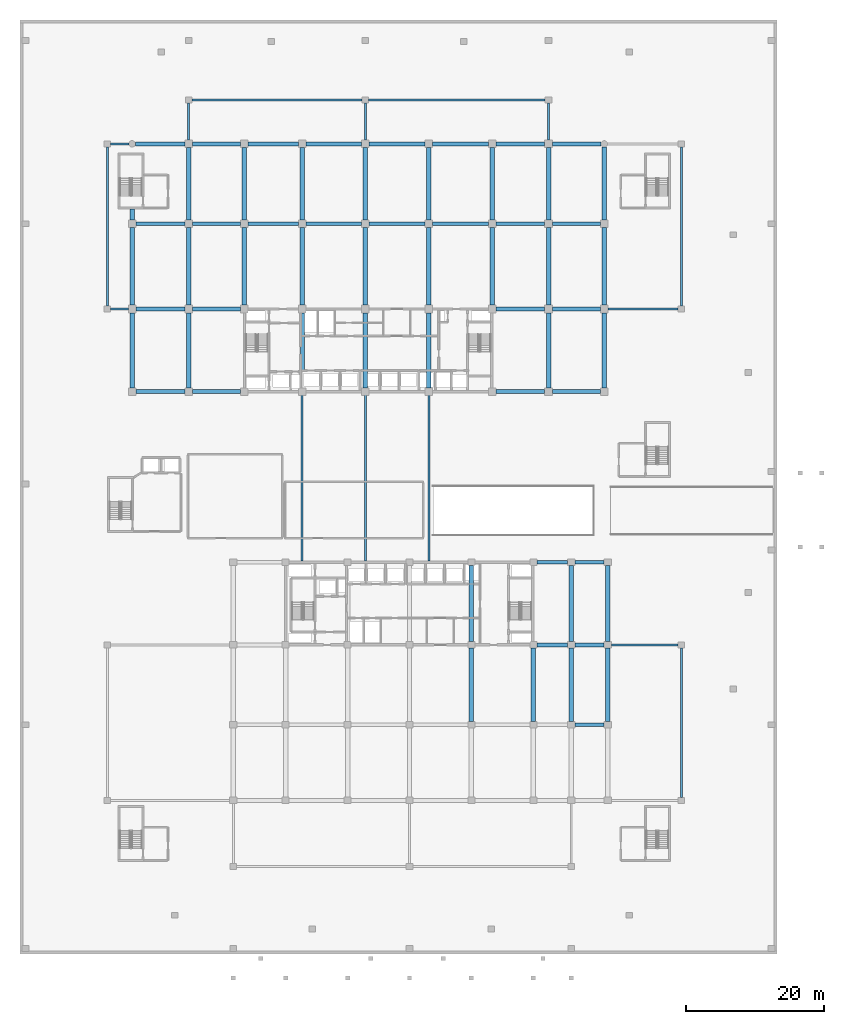
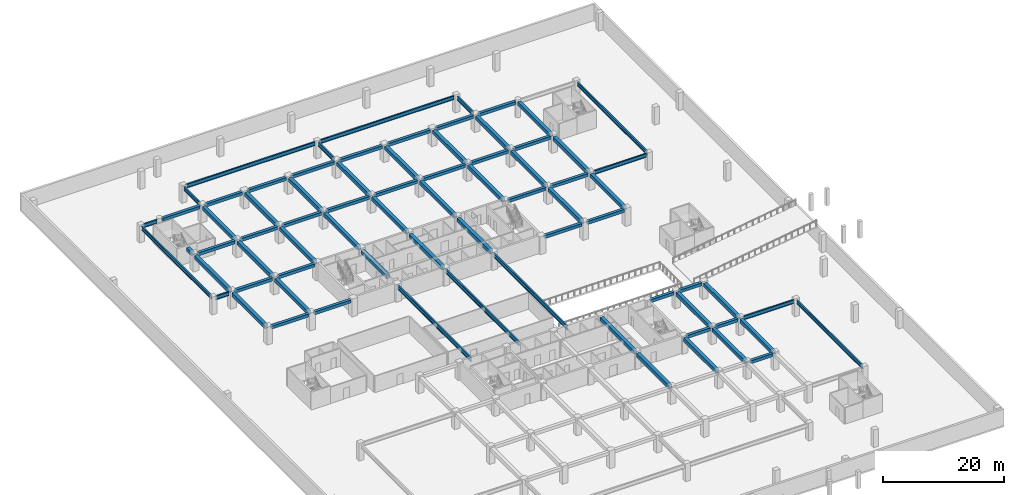
# One storey, part 2 of 23: 76 beams.
"""IFC4 building model written with IfcOpenShell, lengths in metres."""

from ifc_helpers import new_model, si_unit, direction, frame, origin, origin_2d, place, context, subcontext, project, spatial, rectangle, i_section, extrude, material, material_profile, profile_set, type_object, element, save


model = new_model("IFC4")

# Units and contexts
model_context = context("Model", 3, precision=1e-05, world=origin(), true_north=direction((0.0, 1.0)))
body_context = subcontext(model_context, "Body", "Model", "MODEL_VIEW")
ifc_project = project(units=[si_unit("LENGTHUNIT", "METRE"), si_unit("AREAUNIT", "SQUARE_METRE"), si_unit("VOLUMEUNIT", "CUBIC_METRE"), si_unit("PLANEANGLEUNIT", "RADIAN"), si_unit("MASSUNIT", "GRAM", prefix="KILO")], contexts=[model_context])

# Site, building, storey
site_placement = place(None, origin())
site = spatial("IfcSite", under=ifc_project, at=site_placement, CompositionType="ELEMENT")
building_placement = place(site_placement, origin())
building = spatial("IfcBuilding", under=site, at=building_placement, Name="Korimba Cascade Residences", CompositionType="ELEMENT")
storey_placement = place(building_placement, frame((0.0, 0.0, -3.60009765625)))
storey = spatial("IfcBuildingStorey", under=building, at=storey_placement, Name="B01", CompositionType="ELEMENT", Elevation=-3.60009765625)

# Beams
ifc_material_1 = material(Name="Concrete C50/60", Category="concrete")
ifc_material_profile_1 = material_profile(ifc_material_1, rectangle(XDim=0.550048828125, YDim=0.60009765625, at=origin_2d()), Name="Concrete C50/60")
ifc_profile_set_1 = profile_set([ifc_material_profile_1], Name="Concrete C50/60")
beam_type_1 = type_object("IfcBeamType", Name="BM-RC-B600", PredefinedType="BEAM", material=ifc_profile_set_1)
beam_1_placement = place(storey_placement, frame((60.35009765625, 55.199951171875, 3.0), z_axis=(1.0, 0.0, 0.0), x_axis=(0.0, 1.0, 0.0)))
element("IfcBeam", 1, at=beam_1_placement, inside=storey, type_object=beam_type_1, Name="B01 T1 E-W Girder Y1 Bay 1", PredefinedType="BEAM", context=body_context, shape_type="SweptSolid", body=[
    extrude(rectangle(XDim=0.550048828125, YDim=0.60009765625, at=origin_2d()), origin(), (0.0, 0.0, 1.0), 7.099853515625),
])
beam_2_placement = place(storey_placement, frame((68.550048828125, 55.199951171875, 3.0), z_axis=(1.0, 0.0, 0.0), x_axis=(0.0, 1.0, 0.0)))
element("IfcBeam", 2, at=beam_2_placement, inside=storey, type_object=beam_type_1, Name="B01 T1 E-W Girder Y1 Bay 2", PredefinedType="BEAM", context=body_context, shape_type="SweptSolid", body=[
    extrude(rectangle(XDim=0.550048828125, YDim=0.60009765625, at=origin_2d()), origin(), (0.0, 0.0, 1.0), 7.0),
])
beam_3_placement = place(storey_placement, frame((112.64990234375, 55.199951171875, 3.0), z_axis=(1.0, 0.0, 0.0), x_axis=(0.0, 1.0, 0.0)))
element("IfcBeam", 3, at=beam_3_placement, inside=storey, type_object=beam_type_1, Name="B01 T1 E-W Girder Y1 Bay 7", PredefinedType="BEAM", context=body_context, shape_type="SweptSolid", body=[
    extrude(rectangle(XDim=0.550048828125, YDim=0.60009765625, at=origin_2d()), origin(), (0.0, 0.0, 1.0), 7.10009765625),
])
beam_4_placement = place(storey_placement, frame((120.85009765625, 55.199951171875, 3.0), z_axis=(1.0, 0.0, 0.0), x_axis=(0.0, 1.0, 0.0)))
element("IfcBeam", 4, at=beam_4_placement, inside=storey, type_object=beam_type_1, Name="B01 T1 E-W Girder Y1 Bay 8", PredefinedType="BEAM", context=body_context, shape_type="SweptSolid", body=[
    extrude(rectangle(XDim=0.550048828125, YDim=0.60009765625, at=origin_2d()), origin(), (0.0, 0.0, 1.0), 7.0),
])
beam_5_placement = place(storey_placement, frame((60.35009765625, 67.199951171875, 3.0), z_axis=(1.0, 0.0, 0.0), x_axis=(0.0, 1.0, 0.0)))
element("IfcBeam", 5, at=beam_5_placement, inside=storey, type_object=beam_type_1, Name="B01 T1 E-W Girder Y2 Bay 1", PredefinedType="BEAM", context=body_context, shape_type="SweptSolid", body=[
    extrude(rectangle(XDim=0.550048828125, YDim=0.60009765625, at=origin_2d()), origin(), (0.0, 0.0, 1.0), 7.099853515625),
])
beam_6_placement = place(storey_placement, frame((68.550048828125, 67.199951171875, 3.0), z_axis=(1.0, 0.0, 0.0), x_axis=(0.0, 1.0, 0.0)))
element("IfcBeam", 6, at=beam_6_placement, inside=storey, type_object=beam_type_1, Name="B01 T1 E-W Girder Y2 Bay 2", PredefinedType="BEAM", context=body_context, shape_type="SweptSolid", body=[
    extrude(rectangle(XDim=0.550048828125, YDim=0.60009765625, at=origin_2d()), origin(), (0.0, 0.0, 1.0), 7.0),
])
beam_7_placement = place(storey_placement, frame((112.64990234375, 67.199951171875, 3.0), z_axis=(1.0, 0.0, 0.0), x_axis=(0.0, 1.0, 0.0)))
element("IfcBeam", 7, at=beam_7_placement, inside=storey, type_object=beam_type_1, Name="B01 T1 E-W Girder Y2 Bay 7", PredefinedType="BEAM", context=body_context, shape_type="SweptSolid", body=[
    extrude(rectangle(XDim=0.550048828125, YDim=0.60009765625, at=origin_2d()), origin(), (0.0, 0.0, 1.0), 7.10009765625),
])
beam_8_placement = place(storey_placement, frame((120.85009765625, 67.199951171875, 3.0), z_axis=(1.0, 0.0, 0.0), x_axis=(0.0, 1.0, 0.0)))
element("IfcBeam", 8, at=beam_8_placement, inside=storey, type_object=beam_type_1, Name="B01 T1 E-W Girder Y2 Bay 8", PredefinedType="BEAM", context=body_context, shape_type="SweptSolid", body=[
    extrude(rectangle(XDim=0.550048828125, YDim=0.60009765625, at=origin_2d()), origin(), (0.0, 0.0, 1.0), 7.0),
])
beam_9_placement = place(storey_placement, frame((60.35009765625, 79.60009765625, 3.0), z_axis=(1.0, 0.0, 0.0), x_axis=(0.0, 1.0, 0.0)))
element("IfcBeam", 9, at=beam_9_placement, inside=storey, type_object=beam_type_1, Name="B01 T1 E-W Girder Y3 Bay 1", PredefinedType="BEAM", context=body_context, shape_type="SweptSolid", body=[
    extrude(rectangle(XDim=0.550048828125, YDim=0.60009765625, at=origin_2d()), origin(), (0.0, 0.0, 1.0), 7.099853515625),
])
beam_10_placement = place(storey_placement, frame((68.550048828125, 79.60009765625, 3.0), z_axis=(1.0, 0.0, 0.0), x_axis=(0.0, 1.0, 0.0)))
element("IfcBeam", 10, at=beam_10_placement, inside=storey, type_object=beam_type_1, Name="B01 T1 E-W Girder Y3 Bay 2", PredefinedType="BEAM", context=body_context, shape_type="SweptSolid", body=[
    extrude(rectangle(XDim=0.550048828125, YDim=0.60009765625, at=origin_2d()), origin(), (0.0, 0.0, 1.0), 7.0),
])
beam_11_placement = place(storey_placement, frame((76.64990234375, 79.60009765625, 3.0), z_axis=(1.0, 0.0, 0.0), x_axis=(0.0, 1.0, 0.0)))
element("IfcBeam", 11, at=beam_11_placement, inside=storey, type_object=beam_type_1, Name="B01 T1 E-W Girder Y3 Bay 3", PredefinedType="BEAM", context=body_context, shape_type="SweptSolid", body=[
    extrude(rectangle(XDim=0.550048828125, YDim=0.60009765625, at=origin_2d()), origin(), (0.0, 0.0, 1.0), 7.300048828125),
])
beam_12_placement = place(storey_placement, frame((85.050048828125, 79.60009765625, 3.0), z_axis=(1.0, 0.0, 0.0), x_axis=(0.0, 1.0, 0.0)))
element("IfcBeam", 12, at=beam_12_placement, inside=storey, type_object=beam_type_1, Name="B01 T1 E-W Girder Y3 Bay 4", PredefinedType="BEAM", context=body_context, shape_type="SweptSolid", body=[
    extrude(rectangle(XDim=0.550048828125, YDim=0.60009765625, at=origin_2d()), origin(), (0.0, 0.0, 1.0), 8.099853515625),
])
for number, where, z_axis, x_axis, name in (
    (13, (94.25, 79.60009765625, 3.0), (1.0, 0.0, 0.0), (0.0, 1.0, 0.0), "B01 T1 E-W Girder Y3 Bay 5"),
    (14, (103.449951171875, 79.60009765625, 3.0), (1.0, 0.0, 0.0), (0.0, 1.0, 0.0), "B01 T1 E-W Girder Y3 Bay 6"),
):
    element("IfcBeam", number, at=place(storey_placement, frame(where, z_axis=z_axis, x_axis=x_axis)), inside=storey, type_object=beam_type_1, Name=name, PredefinedType="BEAM", context=body_context, shape_type="SweptSolid", body=[
        extrude(rectangle(XDim=0.550048828125, YDim=0.60009765625, at=origin_2d()), origin(), (0.0, 0.0, 1.0), 8.10009765625),
    ])
beam_13_placement = place(storey_placement, frame((112.64990234375, 79.60009765625, 3.0), z_axis=(1.0, 0.0, 0.0), x_axis=(0.0, 1.0, 0.0)))
element("IfcBeam", 15, at=beam_13_placement, inside=storey, type_object=beam_type_1, Name="B01 T1 E-W Girder Y3 Bay 7", PredefinedType="BEAM", context=body_context, shape_type="SweptSolid", body=[
    extrude(rectangle(XDim=0.550048828125, YDim=0.60009765625, at=origin_2d()), origin(), (0.0, 0.0, 1.0), 7.10009765625),
])
beam_14_placement = place(storey_placement, frame((120.85009765625, 79.60009765625, 3.0), z_axis=(1.0, 0.0, 0.0), x_axis=(0.0, 1.0, 0.0)))
element("IfcBeam", 16, at=beam_14_placement, inside=storey, type_object=beam_type_1, Name="B01 T1 E-W Girder Y3 Bay 8", PredefinedType="BEAM", context=body_context, shape_type="SweptSolid", body=[
    extrude(rectangle(XDim=0.550048828125, YDim=0.60009765625, at=origin_2d()), origin(), (0.0, 0.0, 1.0), 7.0),
])
beam_15_placement = place(storey_placement, frame((60.27490234375, 91.199951171875, 3.0), z_axis=(1.0, 0.0, 0.0), x_axis=(0.0, 1.0, 0.0)))
element("IfcBeam", 17, at=beam_15_placement, inside=storey, type_object=beam_type_1, Name="B01 T1 E-W Girder Y4 Bay 1", PredefinedType="BEAM", context=body_context, shape_type="SweptSolid", body=[
    extrude(rectangle(XDim=0.550048828125, YDim=0.60009765625, at=origin_2d()), origin(), (0.0, 0.0, 1.0), 7.175048828125),
])
beam_16_placement = place(storey_placement, frame((68.550048828125, 91.199951171875, 3.0), z_axis=(1.0, 0.0, 0.0), x_axis=(0.0, 1.0, 0.0)))
element("IfcBeam", 18, at=beam_16_placement, inside=storey, type_object=beam_type_1, Name="B01 T1 E-W Girder Y4 Bay 2", PredefinedType="BEAM", context=body_context, shape_type="SweptSolid", body=[
    extrude(rectangle(XDim=0.550048828125, YDim=0.60009765625, at=origin_2d()), origin(), (0.0, 0.0, 1.0), 7.0),
])
beam_17_placement = place(storey_placement, frame((76.64990234375, 91.199951171875, 3.0), z_axis=(1.0, 0.0, 0.0), x_axis=(0.0, 1.0, 0.0)))
element("IfcBeam", 19, at=beam_17_placement, inside=storey, type_object=beam_type_1, Name="B01 T1 E-W Girder Y4 Bay 3", PredefinedType="BEAM", context=body_context, shape_type="SweptSolid", body=[
    extrude(rectangle(XDim=0.550048828125, YDim=0.60009765625, at=origin_2d()), origin(), (0.0, 0.0, 1.0), 7.300048828125),
])
beam_18_placement = place(storey_placement, frame((85.050048828125, 91.199951171875, 3.0), z_axis=(1.0, 0.0, 0.0), x_axis=(0.0, 1.0, 0.0)))
element("IfcBeam", 20, at=beam_18_placement, inside=storey, type_object=beam_type_1, Name="B01 T1 E-W Girder Y4 Bay 4", PredefinedType="BEAM", context=body_context, shape_type="SweptSolid", body=[
    extrude(rectangle(XDim=0.550048828125, YDim=0.60009765625, at=origin_2d()), origin(), (0.0, 0.0, 1.0), 8.099853515625),
])
for number, where, z_axis, x_axis, name in (
    (21, (94.25, 91.199951171875, 3.0), (1.0, 0.0, 0.0), (0.0, 1.0, 0.0), "B01 T1 E-W Girder Y4 Bay 5"),
    (22, (103.449951171875, 91.199951171875, 3.0), (1.0, 0.0, 0.0), (0.0, 1.0, 0.0), "B01 T1 E-W Girder Y4 Bay 6"),
):
    element("IfcBeam", number, at=place(storey_placement, frame(where, z_axis=z_axis, x_axis=x_axis)), inside=storey, type_object=beam_type_1, Name=name, PredefinedType="BEAM", context=body_context, shape_type="SweptSolid", body=[
        extrude(rectangle(XDim=0.550048828125, YDim=0.60009765625, at=origin_2d()), origin(), (0.0, 0.0, 1.0), 8.10009765625),
    ])
beam_19_placement = place(storey_placement, frame((112.64990234375, 91.199951171875, 3.0), z_axis=(1.0, 0.0, 0.0), x_axis=(0.0, 1.0, 0.0)))
element("IfcBeam", 23, at=beam_19_placement, inside=storey, type_object=beam_type_1, Name="B01 T1 E-W Girder Y4 Bay 7", PredefinedType="BEAM", context=body_context, shape_type="SweptSolid", body=[
    extrude(rectangle(XDim=0.550048828125, YDim=0.60009765625, at=origin_2d()), origin(), (0.0, 0.0, 1.0), 7.10009765625),
])
beam_20_placement = place(storey_placement, frame((120.85009765625, 91.199951171875, 3.0), z_axis=(1.0, 0.0, 0.0), x_axis=(0.0, 1.0, 0.0)))
element("IfcBeam", 24, at=beam_20_placement, inside=storey, type_object=beam_type_1, Name="B01 T1 E-W Girder Y4 Bay 8", PredefinedType="BEAM", context=body_context, shape_type="SweptSolid", body=[
    extrude(rectangle(XDim=0.550048828125, YDim=0.60009765625, at=origin_2d()), origin(), (0.0, 0.0, 1.0), 7.074951171875),
])
beam_21_placement = place(storey_placement, frame((124.125, 6.800048828125, 3.0), z_axis=(1.0, 0.0, 0.0), x_axis=(0.0, 1.0, 0.0)))
element("IfcBeam", 25, at=beam_21_placement, inside=storey, type_object=beam_type_1, Name="B01 T2 E-W Girder Y2 Bay 7", PredefinedType="BEAM", context=body_context, shape_type="SweptSolid", body=[
    extrude(rectangle(XDim=0.550048828125, YDim=0.60009765625, at=origin_2d()), origin(), (0.0, 0.0, 1.0), 4.25),
])
beam_22_placement = place(storey_placement, frame((118.625, 18.39990234375, 3.0), z_axis=(1.0, 0.0, 0.0), x_axis=(0.0, 1.0, 0.0)))
element("IfcBeam", 26, at=beam_22_placement, inside=storey, type_object=beam_type_1, Name="B01 T2 E-W Girder Y3 Bay 6", PredefinedType="BEAM", context=body_context, shape_type="SweptSolid", body=[
    extrude(rectangle(XDim=0.550048828125, YDim=0.60009765625, at=origin_2d()), origin(), (0.0, 0.0, 1.0), 4.449951171875),
])
beam_23_placement = place(storey_placement, frame((124.125, 18.39990234375, 3.0), z_axis=(1.0, 0.0, 0.0), x_axis=(0.0, 1.0, 0.0)))
element("IfcBeam", 27, at=beam_23_placement, inside=storey, type_object=beam_type_1, Name="B01 T2 E-W Girder Y3 Bay 7", PredefinedType="BEAM", context=body_context, shape_type="SweptSolid", body=[
    extrude(rectangle(XDim=0.550048828125, YDim=0.60009765625, at=origin_2d()), origin(), (0.0, 0.0, 1.0), 4.25),
])
beam_24_placement = place(storey_placement, frame((118.625, 30.39990234375, 3.0), z_axis=(1.0, 0.0, 0.0), x_axis=(0.0, 1.0, 0.0)))
element("IfcBeam", 28, at=beam_24_placement, inside=storey, type_object=beam_type_1, Name="B01 T2 E-W Girder Y4 Bay 6", PredefinedType="BEAM", context=body_context, shape_type="SweptSolid", body=[
    extrude(rectangle(XDim=0.550048828125, YDim=0.60009765625, at=origin_2d()), origin(), (0.0, 0.0, 1.0), 4.449951171875),
])
beam_25_placement = place(storey_placement, frame((124.125, 30.39990234375, 3.0), z_axis=(1.0, 0.0, 0.0), x_axis=(0.0, 1.0, 0.0)))
element("IfcBeam", 29, at=beam_25_placement, inside=storey, type_object=beam_type_1, Name="B01 T2 E-W Girder Y4 Bay 7", PredefinedType="BEAM", context=body_context, shape_type="SweptSolid", body=[
    extrude(rectangle(XDim=0.550048828125, YDim=0.60009765625, at=origin_2d()), origin(), (0.0, 0.0, 1.0), 4.25),
])
ifc_material_profile_2 = material_profile(ifc_material_1, rectangle(XDim=0.64990234375, YDim=0.75, at=origin_2d()), Name="Concrete C50/60")
ifc_profile_set_2 = profile_set([ifc_material_profile_2], Name="Concrete C50/60")
beam_type_2 = type_object("IfcBeamType", Name="BM-RC-G750", PredefinedType="BEAM", material=ifc_profile_set_2)
beam_26_placement = place(storey_placement, frame((59.800048828125, 55.75, 2.925048828125), z_axis=(0.0, 1.0, 0.0), x_axis=(-1.0, 0.0, 0.0)))
element("IfcBeam", 30, at=beam_26_placement, inside=storey, type_object=beam_type_2, Name="B01 T1 N-S Girder X1 Seg 1", PredefinedType="BEAM", context=body_context, shape_type="SweptSolid", body=[
    extrude(rectangle(XDim=0.64990234375, YDim=0.75, at=origin_2d()), origin(), (0.0, 0.0, 1.0), 10.89990234375),
])
beam_27_placement = place(storey_placement, frame((59.800048828125, 67.75, 2.925048828125), z_axis=(0.0, 1.0, 0.0), x_axis=(-1.0, 0.0, 0.0)))
element("IfcBeam", 31, at=beam_27_placement, inside=storey, type_object=beam_type_2, Name="B01 T1 N-S Girder X1 Seg 2", PredefinedType="BEAM", context=body_context, shape_type="SweptSolid", body=[
    extrude(rectangle(XDim=0.64990234375, YDim=0.75, at=origin_2d()), origin(), (0.0, 0.0, 1.0), 11.300048828125),
])
beam_28_placement = place(storey_placement, frame((59.800048828125, 80.14990234375, 2.925048828125), z_axis=(0.0, 1.0, 0.0), x_axis=(-1.0, 0.0, 0.0)))
element("IfcBeam", 32, at=beam_28_placement, inside=storey, type_object=beam_type_2, Name="B01 T1 N-S Girder X1 Seg 3", PredefinedType="BEAM", context=body_context, shape_type="SweptSolid", body=[
    extrude(rectangle(XDim=0.64990234375, YDim=0.75, at=origin_2d()), origin(), (0.0, 0.0, 1.0), 1.550048828125),
])
beam_29_placement = place(storey_placement, frame((68.0, 55.75, 2.925048828125), z_axis=(0.0, 1.0, 0.0), x_axis=(-1.0, 0.0, 0.0)))
element("IfcBeam", 33, at=beam_29_placement, inside=storey, type_object=beam_type_2, Name="B01 T1 N-S Girder X2 Seg 1", PredefinedType="BEAM", context=body_context, shape_type="SweptSolid", body=[
    extrude(rectangle(XDim=0.64990234375, YDim=0.75, at=origin_2d()), origin(), (0.0, 0.0, 1.0), 10.89990234375),
])
beam_30_placement = place(storey_placement, frame((68.0, 67.75, 2.925048828125), z_axis=(0.0, 1.0, 0.0), x_axis=(-1.0, 0.0, 0.0)))
element("IfcBeam", 34, at=beam_30_placement, inside=storey, type_object=beam_type_2, Name="B01 T1 N-S Girder X2 Seg 2", PredefinedType="BEAM", context=body_context, shape_type="SweptSolid", body=[
    extrude(rectangle(XDim=0.64990234375, YDim=0.75, at=origin_2d()), origin(), (0.0, 0.0, 1.0), 11.300048828125),
])
beam_31_placement = place(storey_placement, frame((68.0, 80.14990234375, 2.925048828125), z_axis=(0.0, 1.0, 0.0), x_axis=(-1.0, 0.0, 0.0)))
element("IfcBeam", 35, at=beam_31_placement, inside=storey, type_object=beam_type_2, Name="B01 T1 N-S Girder X2 Seg 3", PredefinedType="BEAM", context=body_context, shape_type="SweptSolid", body=[
    extrude(rectangle(XDim=0.64990234375, YDim=0.75, at=origin_2d()), origin(), (0.0, 0.0, 1.0), 10.5),
])
beam_32_placement = place(storey_placement, frame((76.10009765625, 67.75, 2.925048828125), z_axis=(0.0, 1.0, 0.0), x_axis=(-1.0, 0.0, 0.0)))
element("IfcBeam", 36, at=beam_32_placement, inside=storey, type_object=beam_type_2, Name="B01 T1 N-S Girder X3 Seg 2", PredefinedType="BEAM", context=body_context, shape_type="SweptSolid", body=[
    extrude(rectangle(XDim=0.64990234375, YDim=0.75, at=origin_2d()), origin(), (0.0, 0.0, 1.0), 11.300048828125),
])
beam_33_placement = place(storey_placement, frame((76.10009765625, 80.14990234375, 2.925048828125), z_axis=(0.0, 1.0, 0.0), x_axis=(-1.0, 0.0, 0.0)))
element("IfcBeam", 37, at=beam_33_placement, inside=storey, type_object=beam_type_2, Name="B01 T1 N-S Girder X3 Seg 3", PredefinedType="BEAM", context=body_context, shape_type="SweptSolid", body=[
    extrude(rectangle(XDim=0.64990234375, YDim=0.75, at=origin_2d()), origin(), (0.0, 0.0, 1.0), 10.5),
])
beam_34_placement = place(storey_placement, frame((84.5, 58.159912109375, 2.925048828125), z_axis=(0.0, 1.0, 0.0), x_axis=(-1.0, 0.0, 0.0)))
element("IfcBeam", 38, at=beam_34_placement, inside=storey, type_object=beam_type_2, Name="B01 T1 N-S Girder X4 Seg 1", PredefinedType="BEAM", context=body_context, shape_type="SweptSolid", body=[
    extrude(rectangle(XDim=0.64990234375, YDim=0.75, at=origin_2d()), origin(), (0.0, 0.0, 1.0), 8.489990234375),
])
beam_35_placement = place(storey_placement, frame((84.5, 67.75, 2.925048828125), z_axis=(0.0, 1.0, 0.0), x_axis=(-1.0, 0.0, 0.0)))
element("IfcBeam", 39, at=beam_35_placement, inside=storey, type_object=beam_type_2, Name="B01 T1 N-S Girder X4 Seg 2", PredefinedType="BEAM", context=body_context, shape_type="SweptSolid", body=[
    extrude(rectangle(XDim=0.64990234375, YDim=0.75, at=origin_2d()), origin(), (0.0, 0.0, 1.0), 11.300048828125),
])
beam_36_placement = place(storey_placement, frame((84.5, 80.14990234375, 2.925048828125), z_axis=(0.0, 1.0, 0.0), x_axis=(-1.0, 0.0, 0.0)))
element("IfcBeam", 40, at=beam_36_placement, inside=storey, type_object=beam_type_2, Name="B01 T1 N-S Girder X4 Seg 3", PredefinedType="BEAM", context=body_context, shape_type="SweptSolid", body=[
    extrude(rectangle(XDim=0.64990234375, YDim=0.75, at=origin_2d()), origin(), (0.0, 0.0, 1.0), 10.5),
])
beam_37_placement = place(storey_placement, frame((93.699951171875, 55.75, 2.925048828125), z_axis=(0.0, 1.0, 0.0), x_axis=(-1.0, 0.0, 0.0)))
element("IfcBeam", 41, at=beam_37_placement, inside=storey, type_object=beam_type_2, Name="B01 T1 N-S Girder X5 Seg 1", PredefinedType="BEAM", context=body_context, shape_type="SweptSolid", body=[
    extrude(rectangle(XDim=0.64990234375, YDim=0.75, at=origin_2d()), origin(), (0.0, 0.0, 1.0), 10.89990234375),
])
beam_38_placement = place(storey_placement, frame((93.699951171875, 67.75, 2.925048828125), z_axis=(0.0, 1.0, 0.0), x_axis=(-1.0, 0.0, 0.0)))
element("IfcBeam", 42, at=beam_38_placement, inside=storey, type_object=beam_type_2, Name="B01 T1 N-S Girder X5 Seg 2", PredefinedType="BEAM", context=body_context, shape_type="SweptSolid", body=[
    extrude(rectangle(XDim=0.64990234375, YDim=0.75, at=origin_2d()), origin(), (0.0, 0.0, 1.0), 11.300048828125),
])
beam_39_placement = place(storey_placement, frame((93.699951171875, 80.14990234375, 2.925048828125), z_axis=(0.0, 1.0, 0.0), x_axis=(-1.0, 0.0, 0.0)))
element("IfcBeam", 43, at=beam_39_placement, inside=storey, type_object=beam_type_2, Name="B01 T1 N-S Girder X5 Seg 3", PredefinedType="BEAM", context=body_context, shape_type="SweptSolid", body=[
    extrude(rectangle(XDim=0.64990234375, YDim=0.75, at=origin_2d()), origin(), (0.0, 0.0, 1.0), 10.5),
])
beam_40_placement = place(storey_placement, frame((102.89990234375, 55.75, 2.925048828125), z_axis=(0.0, 1.0, 0.0), x_axis=(-1.0, 0.0, 0.0)))
element("IfcBeam", 44, at=beam_40_placement, inside=storey, type_object=beam_type_2, Name="B01 T1 N-S Girder X6 Seg 1", PredefinedType="BEAM", context=body_context, shape_type="SweptSolid", body=[
    extrude(rectangle(XDim=0.64990234375, YDim=0.75, at=origin_2d()), origin(), (0.0, 0.0, 1.0), 10.89990234375),
])
beam_41_placement = place(storey_placement, frame((102.89990234375, 67.75, 2.925048828125), z_axis=(0.0, 1.0, 0.0), x_axis=(-1.0, 0.0, 0.0)))
element("IfcBeam", 45, at=beam_41_placement, inside=storey, type_object=beam_type_2, Name="B01 T1 N-S Girder X6 Seg 2", PredefinedType="BEAM", context=body_context, shape_type="SweptSolid", body=[
    extrude(rectangle(XDim=0.64990234375, YDim=0.75, at=origin_2d()), origin(), (0.0, 0.0, 1.0), 11.300048828125),
])
beam_42_placement = place(storey_placement, frame((102.89990234375, 80.14990234375, 2.925048828125), z_axis=(0.0, 1.0, 0.0), x_axis=(-1.0, 0.0, 0.0)))
element("IfcBeam", 46, at=beam_42_placement, inside=storey, type_object=beam_type_2, Name="B01 T1 N-S Girder X6 Seg 3", PredefinedType="BEAM", context=body_context, shape_type="SweptSolid", body=[
    extrude(rectangle(XDim=0.64990234375, YDim=0.75, at=origin_2d()), origin(), (0.0, 0.0, 1.0), 10.5),
])
beam_43_placement = place(storey_placement, frame((112.10009765625, 67.75, 2.925048828125), z_axis=(0.0, 1.0, 0.0), x_axis=(-1.0, 0.0, 0.0)))
element("IfcBeam", 47, at=beam_43_placement, inside=storey, type_object=beam_type_2, Name="B01 T1 N-S Girder X7 Seg 2", PredefinedType="BEAM", context=body_context, shape_type="SweptSolid", body=[
    extrude(rectangle(XDim=0.64990234375, YDim=0.75, at=origin_2d()), origin(), (0.0, 0.0, 1.0), 11.300048828125),
])
beam_44_placement = place(storey_placement, frame((112.10009765625, 80.14990234375, 2.925048828125), z_axis=(0.0, 1.0, 0.0), x_axis=(-1.0, 0.0, 0.0)))
element("IfcBeam", 48, at=beam_44_placement, inside=storey, type_object=beam_type_2, Name="B01 T1 N-S Girder X7 Seg 3", PredefinedType="BEAM", context=body_context, shape_type="SweptSolid", body=[
    extrude(rectangle(XDim=0.64990234375, YDim=0.75, at=origin_2d()), origin(), (0.0, 0.0, 1.0), 10.5),
])
beam_45_placement = place(storey_placement, frame((120.300048828125, 55.75, 2.925048828125), z_axis=(0.0, 1.0, 0.0), x_axis=(-1.0, 0.0, 0.0)))
element("IfcBeam", 49, at=beam_45_placement, inside=storey, type_object=beam_type_2, Name="B01 T1 N-S Girder X8 Seg 1", PredefinedType="BEAM", context=body_context, shape_type="SweptSolid", body=[
    extrude(rectangle(XDim=0.64990234375, YDim=0.75, at=origin_2d()), origin(), (0.0, 0.0, 1.0), 10.89990234375),
])
beam_46_placement = place(storey_placement, frame((120.300048828125, 67.75, 2.925048828125), z_axis=(0.0, 1.0, 0.0), x_axis=(-1.0, 0.0, 0.0)))
element("IfcBeam", 50, at=beam_46_placement, inside=storey, type_object=beam_type_2, Name="B01 T1 N-S Girder X8 Seg 2", PredefinedType="BEAM", context=body_context, shape_type="SweptSolid", body=[
    extrude(rectangle(XDim=0.64990234375, YDim=0.75, at=origin_2d()), origin(), (0.0, 0.0, 1.0), 11.300048828125),
])
beam_47_placement = place(storey_placement, frame((120.300048828125, 80.14990234375, 2.925048828125), z_axis=(0.0, 1.0, 0.0), x_axis=(-1.0, 0.0, 0.0)))
element("IfcBeam", 51, at=beam_47_placement, inside=storey, type_object=beam_type_2, Name="B01 T1 N-S Girder X8 Seg 3", PredefinedType="BEAM", context=body_context, shape_type="SweptSolid", body=[
    extrude(rectangle(XDim=0.64990234375, YDim=0.75, at=origin_2d()), origin(), (0.0, 0.0, 1.0), 10.5),
])
beam_48_placement = place(storey_placement, frame((128.39990234375, 55.75, 2.925048828125), z_axis=(0.0, 1.0, 0.0), x_axis=(-1.0, 0.0, 0.0)))
element("IfcBeam", 52, at=beam_48_placement, inside=storey, type_object=beam_type_2, Name="B01 T1 N-S Girder X9 Seg 1", PredefinedType="BEAM", context=body_context, shape_type="SweptSolid", body=[
    extrude(rectangle(XDim=0.64990234375, YDim=0.75, at=origin_2d()), origin(), (0.0, 0.0, 1.0), 10.89990234375),
])
beam_49_placement = place(storey_placement, frame((128.39990234375, 67.75, 2.925048828125), z_axis=(0.0, 1.0, 0.0), x_axis=(-1.0, 0.0, 0.0)))
element("IfcBeam", 53, at=beam_49_placement, inside=storey, type_object=beam_type_2, Name="B01 T1 N-S Girder X9 Seg 2", PredefinedType="BEAM", context=body_context, shape_type="SweptSolid", body=[
    extrude(rectangle(XDim=0.64990234375, YDim=0.75, at=origin_2d()), origin(), (0.0, 0.0, 1.0), 11.300048828125),
])
beam_50_placement = place(storey_placement, frame((128.39990234375, 80.14990234375, 2.925048828125), z_axis=(0.0, 1.0, 0.0), x_axis=(-1.0, 0.0, 0.0)))
element("IfcBeam", 54, at=beam_50_placement, inside=storey, type_object=beam_type_2, Name="B01 T1 N-S Girder X9 Seg 3", PredefinedType="BEAM", context=body_context, shape_type="SweptSolid", body=[
    extrude(rectangle(XDim=0.64990234375, YDim=0.75, at=origin_2d()), origin(), (0.0, 0.0, 1.0), 10.5751953125),
])
beam_51_placement = place(storey_placement, frame((109.10009765625, 7.27490234375, 2.925048828125), z_axis=(0.0, 1.0, 0.0), x_axis=(-1.0, 0.0, 0.0)))
element("IfcBeam", 55, at=beam_51_placement, inside=storey, type_object=beam_type_2, Name="B01 T2 N-S Girder X5 Seg 2", PredefinedType="BEAM", context=body_context, shape_type="SweptSolid", body=[
    extrude(rectangle(XDim=0.64990234375, YDim=0.75, at=origin_2d()), origin(), (0.0, 0.0, 1.0), 10.650146484375),
])
beam_52_placement = place(storey_placement, frame((109.10009765625, 18.875, 2.925048828125), z_axis=(0.0, 1.0, 0.0), x_axis=(-1.0, 0.0, 0.0)))
element("IfcBeam", 56, at=beam_52_placement, inside=storey, type_object=beam_type_2, Name="B01 T2 N-S Girder X5 Seg 3", PredefinedType="BEAM", context=body_context, shape_type="SweptSolid", body=[
    extrude(rectangle(XDim=0.64990234375, YDim=0.75, at=origin_2d()), origin(), (0.0, 0.0, 1.0), 11.050048828125),
])
for number, where, z_axis, x_axis, name in (
    (57, (118.10009765625, 7.27490234375, 2.925048828125), (0.0, 1.0, 0.0), (-1.0, 0.0, 0.0), "B01 T2 N-S Girder X6 Seg 2"),
    (58, (123.60009765625, 7.27490234375, 2.925048828125), (0.0, 1.0, 0.0), (-1.0, 0.0, 0.0), "B01 T2 N-S Girder X7 Seg 2"),
):
    element("IfcBeam", number, at=place(storey_placement, frame(where, z_axis=z_axis, x_axis=x_axis)), inside=storey, type_object=beam_type_2, Name=name, PredefinedType="BEAM", context=body_context, shape_type="SweptSolid", body=[
        extrude(rectangle(XDim=0.64990234375, YDim=0.75, at=origin_2d()), origin(), (0.0, 0.0, 1.0), 10.650146484375),
    ])
beam_53_placement = place(storey_placement, frame((123.60009765625, 18.875, 2.925048828125), z_axis=(0.0, 1.0, 0.0), x_axis=(-1.0, 0.0, 0.0)))
element("IfcBeam", 59, at=beam_53_placement, inside=storey, type_object=beam_type_2, Name="B01 T2 N-S Girder X7 Seg 3", PredefinedType="BEAM", context=body_context, shape_type="SweptSolid", body=[
    extrude(rectangle(XDim=0.64990234375, YDim=0.75, at=origin_2d()), origin(), (0.0, 0.0, 1.0), 11.050048828125),
])
beam_54_placement = place(storey_placement, frame((128.89990234375, 7.27490234375, 2.925048828125), z_axis=(0.0, 1.0, 0.0), x_axis=(-1.0, 0.0, 0.0)))
element("IfcBeam", 60, at=beam_54_placement, inside=storey, type_object=beam_type_2, Name="B01 T2 N-S Girder X8 Seg 2", PredefinedType="BEAM", context=body_context, shape_type="SweptSolid", body=[
    extrude(rectangle(XDim=0.64990234375, YDim=0.75, at=origin_2d()), origin(), (0.0, 0.0, 1.0), 10.650146484375),
])
beam_55_placement = place(storey_placement, frame((128.89990234375, 18.875, 2.925048828125), z_axis=(0.0, 1.0, 0.0), x_axis=(-1.0, 0.0, 0.0)))
element("IfcBeam", 61, at=beam_55_placement, inside=storey, type_object=beam_type_2, Name="B01 T2 N-S Girder X8 Seg 3", PredefinedType="BEAM", context=body_context, shape_type="SweptSolid", body=[
    extrude(rectangle(XDim=0.64990234375, YDim=0.75, at=origin_2d()), origin(), (0.0, 0.0, 1.0), 11.050048828125),
])
ifc_material_2 = material(Name="Steel S355", Category="steel")
ifc_material_profile_3 = material_profile(ifc_material_2, i_section(OverallWidth=0.26806640625, OverallDepth=0.769775390625, WebThickness=0.015625, FlangeThickness=0.025390625, FilletRadius=0.0166015625, at=origin_2d()), Name="Steel S355")
ifc_profile_set_3 = profile_set([ifc_material_profile_3], Name="Steel S355")
beam_type_3 = type_object("IfcBeamType", Name="BM-STL-UB762", PredefinedType="BEAM", material=ifc_profile_set_3)
beam_56_placement = place(storey_placement, frame((56.675048828125, 67.199951171875, 2.915283203125), z_axis=(1.0, 0.0, 0.0), x_axis=(0.0, 1.0, 0.0)))
element("IfcBeam", 62, at=beam_56_placement, inside=storey, type_object=beam_type_3, Name="B01 Podium Frame Girder W3", PredefinedType="BEAM", context=body_context, shape_type="SweptSolid", body=[
    extrude(i_section(OverallWidth=0.26806640625, OverallDepth=0.769775390625, WebThickness=0.015625, FlangeThickness=0.025390625, FilletRadius=0.0166015625, at=origin_2d()), origin(), (0.0, 0.0, 1.0), 2.574951171875),
])
beam_57_placement = place(storey_placement, frame((56.675048828125, 91.199951171875, 2.915283203125), z_axis=(1.0, 0.0, 0.0), x_axis=(0.0, 1.0, 0.0)))
element("IfcBeam", 63, at=beam_57_placement, inside=storey, type_object=beam_type_3, Name="B01 Podium Frame Girder W4", PredefinedType="BEAM", context=body_context, shape_type="SweptSolid", body=[
    extrude(i_section(OverallWidth=0.26806640625, OverallDepth=0.769775390625, WebThickness=0.015625, FlangeThickness=0.025390625, FilletRadius=0.0166015625, at=origin_2d()), origin(), (0.0, 0.0, 1.0), 2.64990234375),
])
beam_58_placement = place(storey_placement, frame((56.199951171875, 67.625, 2.915283203125), z_axis=(0.0, 1.0, 0.0), x_axis=(-1.0, 0.0, 0.0)))
element("IfcBeam", 64, at=beam_58_placement, inside=storey, type_object=beam_type_3, Name="B01 Podium Frame Girder WS", PredefinedType="BEAM", context=body_context, shape_type="SweptSolid", body=[
    extrude(i_section(OverallWidth=0.26806640625, OverallDepth=0.769775390625, WebThickness=0.015625, FlangeThickness=0.025390625, FilletRadius=0.0166015625, at=origin_2d()), origin(), (0.0, 0.0, 1.0), 23.14990234375),
])
beam_59_placement = place(storey_placement, frame((129.425048828125, 18.39990234375, 2.915283203125), z_axis=(1.0, 0.0, 0.0), x_axis=(0.0, 1.0, 0.0)))
element("IfcBeam", 65, at=beam_59_placement, inside=storey, type_object=beam_type_3, Name="B01 Podium Frame Girder E2", PredefinedType="BEAM", context=body_context, shape_type="SweptSolid", body=[
    extrude(i_section(OverallWidth=0.26806640625, OverallDepth=0.769775390625, WebThickness=0.015625, FlangeThickness=0.025390625, FilletRadius=0.0166015625, at=origin_2d()), origin(), (0.0, 0.0, 1.0), 9.699951171875),
])
beam_60_placement = place(storey_placement, frame((128.949951171875, 67.199951171875, 2.915283203125), z_axis=(1.0, 0.0, 0.0), x_axis=(0.0, 1.0, 0.0)))
element("IfcBeam", 66, at=beam_60_placement, inside=storey, type_object=beam_type_3, Name="B01 Podium Frame Girder E3", PredefinedType="BEAM", context=body_context, shape_type="SweptSolid", body=[
    extrude(i_section(OverallWidth=0.26806640625, OverallDepth=0.769775390625, WebThickness=0.015625, FlangeThickness=0.025390625, FilletRadius=0.0166015625, at=origin_2d()), origin(), (0.0, 0.0, 1.0), 10.175048828125),
])
beam_61_placement = place(storey_placement, frame((139.60009765625, -3.77490234375, 2.915283203125), z_axis=(0.0, 1.0, 0.0), x_axis=(-1.0, 0.0, 0.0)))
element("IfcBeam", 67, at=beam_61_placement, inside=storey, type_object=beam_type_3, Name="B01 Podium Frame Girder EN", PredefinedType="BEAM", context=body_context, shape_type="SweptSolid", body=[
    extrude(i_section(OverallWidth=0.26806640625, OverallDepth=0.769775390625, WebThickness=0.015625, FlangeThickness=0.025390625, FilletRadius=0.0166015625, at=origin_2d()), origin(), (0.0, 0.0, 1.0), 21.75),
])
beam_62_placement = place(storey_placement, frame((139.60009765625, 67.625, 2.915283203125), z_axis=(0.0, 1.0, 0.0), x_axis=(-1.0, 0.0, 0.0)))
element("IfcBeam", 68, at=beam_62_placement, inside=storey, type_object=beam_type_3, Name="B01 Podium Frame Girder ES", PredefinedType="BEAM", context=body_context, shape_type="SweptSolid", body=[
    extrude(i_section(OverallWidth=0.26806640625, OverallDepth=0.769775390625, WebThickness=0.015625, FlangeThickness=0.025390625, FilletRadius=0.0166015625, at=origin_2d()), origin(), (0.0, 0.0, 1.0), 23.14990234375),
])
for number, where, z_axis, x_axis, name in (
    (69, (68.0, 91.75, 2.915283203125), (0.0, 1.0, 0.0), (-1.0, 0.0, 0.0), "B01 Podium Frame Girder N1"),
    (70, (93.699951171875, 91.75, 2.915283203125), (0.0, 1.0, 0.0), (-1.0, 0.0, 0.0), "B01 Podium Frame Girder N2"),
    (71, (120.300048828125, 91.75, 2.915283203125), (0.0, 1.0, 0.0), (-1.0, 0.0, 0.0), "B01 Podium Frame Girder N3"),
):
    element("IfcBeam", number, at=place(storey_placement, frame(where, z_axis=z_axis, x_axis=x_axis)), inside=storey, type_object=beam_type_3, Name=name, PredefinedType="BEAM", context=body_context, shape_type="SweptSolid", body=[
        extrude(i_section(OverallWidth=0.26806640625, OverallDepth=0.769775390625, WebThickness=0.015625, FlangeThickness=0.025390625, FilletRadius=0.0166015625, at=origin_2d()), origin(), (0.0, 0.0, 1.0), 5.425048828125),
    ])
beam_63_placement = place(storey_placement, frame((68.47509765625, 97.60009765625, 2.915283203125), z_axis=(1.0, 0.0, 0.0), x_axis=(0.0, 1.0, 0.0)))
element("IfcBeam", 72, at=beam_63_placement, inside=storey, type_object=beam_type_3, Name="B01 Podium Frame Girder NH1", PredefinedType="BEAM", context=body_context, shape_type="SweptSolid", body=[
    extrude(i_section(OverallWidth=0.26806640625, OverallDepth=0.769775390625, WebThickness=0.015625, FlangeThickness=0.025390625, FilletRadius=0.0166015625, at=origin_2d()), origin(), (0.0, 0.0, 1.0), 24.75),
])
beam_64_placement = place(storey_placement, frame((94.175048828125, 97.60009765625, 2.915283203125), z_axis=(1.0, 0.0, 0.0), x_axis=(0.0, 1.0, 0.0)))
element("IfcBeam", 73, at=beam_64_placement, inside=storey, type_object=beam_type_3, Name="B01 Podium Frame Girder NH2", PredefinedType="BEAM", context=body_context, shape_type="SweptSolid", body=[
    extrude(i_section(OverallWidth=0.26806640625, OverallDepth=0.769775390625, WebThickness=0.015625, FlangeThickness=0.025390625, FilletRadius=0.0166015625, at=origin_2d()), origin(), (0.0, 0.0, 1.0), 25.64990234375),
])
ifc_material_profile_4 = material_profile(ifc_material_2, i_section(OverallWidth=0.293701171875, OverallDepth=0.850830078125, WebThickness=0.01611328125, FlangeThickness=0.02685546875, FilletRadius=0.017822265625, at=origin_2d()), Name="Steel S355")
ifc_profile_set_4 = profile_set([ifc_material_profile_4], Name="Steel S355")
beam_type_4 = type_object("IfcBeamType", Name="BM-STL-UB838", PredefinedType="BEAM", material=ifc_profile_set_4)
for number, where, z_axis, x_axis, name in (
    (74, (84.5, 30.574951171875, 2.874755859375), (0.0, 1.0, 0.0), (-1.0, 0.0, 0.0), "B01 Podium Canyon Girder 1"),
    (75, (93.699951171875, 30.574951171875, 2.874755859375), (0.0, 1.0, 0.0), (-1.0, 0.0, 0.0), "B01 Podium Canyon Girder 2"),
    (76, (102.89990234375, 30.574951171875, 2.874755859375), (0.0, 1.0, 0.0), (-1.0, 0.0, 0.0), "B01 Podium Canyon Girder 3"),
):
    element("IfcBeam", number, at=place(storey_placement, frame(where, z_axis=z_axis, x_axis=x_axis)), inside=storey, type_object=beam_type_4, Name=name, PredefinedType="BEAM", context=body_context, shape_type="SweptSolid", body=[
        extrude(i_section(OverallWidth=0.293701171875, OverallDepth=0.850830078125, WebThickness=0.01611328125, FlangeThickness=0.02685546875, FilletRadius=0.017822265625, at=origin_2d()), origin(), (0.0, 0.0, 1.0), 24.449951171875),
    ])

save(model, "model.ifc")
